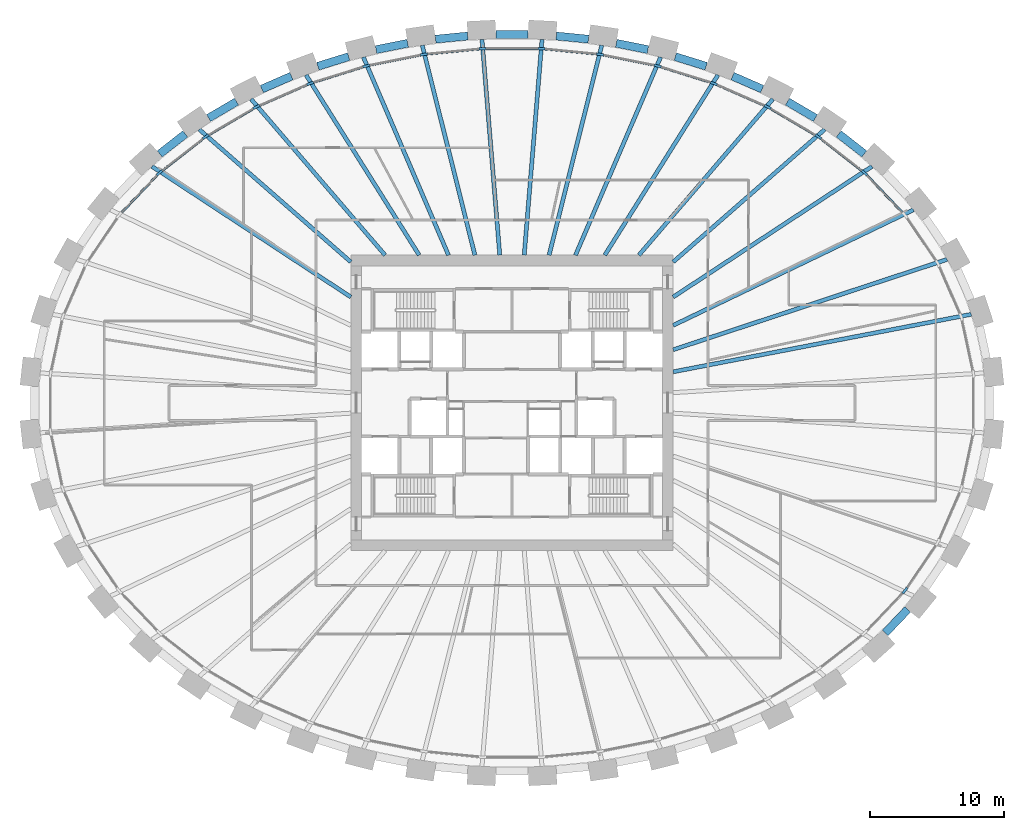
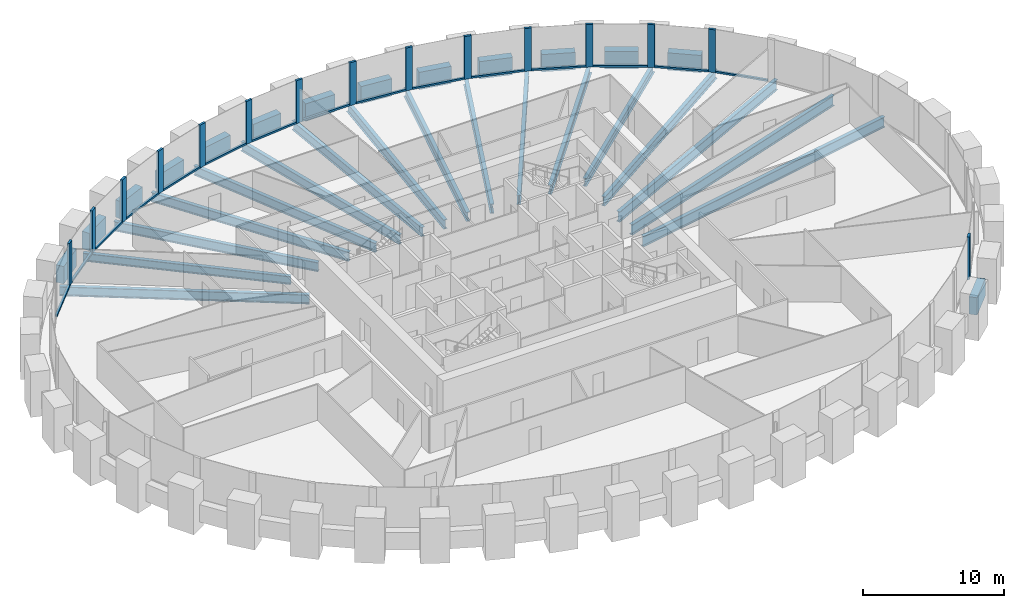
# One storey, part 3 of 11: 31 beams, 30 members, 1 element without a shape of its own.
"""IFC4 building model written with IfcOpenShell, lengths in metres."""

from ifc_helpers import new_model, si_unit, direction, frame, origin, origin_2d, place, context, subcontext, project, spatial, rectangle, i_section, extrude, source, transform, mapped, material, material_profile, profile_set, type_object, element, aggregate, save


model = new_model("IFC4")

# Units and contexts
model_context = context("Model", 3, precision=1e-05, world=origin(), true_north=direction((0.0, 1.0)))
body_context = subcontext(model_context, "Body", "Model", "MODEL_VIEW")
ifc_project = project(units=[si_unit("LENGTHUNIT", "METRE"), si_unit("AREAUNIT", "SQUARE_METRE"), si_unit("VOLUMEUNIT", "CUBIC_METRE"), si_unit("PLANEANGLEUNIT", "RADIAN"), si_unit("MASSUNIT", "GRAM", prefix="KILO")], contexts=[model_context])

# Site, building, storey
site_placement = place(None, origin())
site = spatial("IfcSite", under=ifc_project, at=site_placement, CompositionType="ELEMENT")
building_placement = place(site_placement, origin())
building = spatial("IfcBuilding", under=site, at=building_placement, Name="Embergate Tower", CompositionType="ELEMENT")
storey_placement = place(building_placement, frame((0.0, 0.0, 207.300048828125)))
storey = spatial("IfcBuildingStorey", under=building, at=storey_placement, Name="L47", CompositionType="ELEMENT", Elevation=207.300048828125)

# Beams
ifc_material_1 = material(Name="Concrete C60", Category="concrete")
ifc_material_profile_1 = material_profile(ifc_material_1, rectangle(XDim=0.60009765625, YDim=1.5, at=origin_2d()), Name="RC 600x1500")
ifc_profile_set_1 = profile_set([ifc_material_profile_1], Name="Concrete C60")
beam_type_1 = type_object("IfcBeamType", Name="Spandrel beam RC 600x1500 C60", PredefinedType="BEAM", material=ifc_profile_set_1)
shared_shape_1 = source(origin(), body_context, "Body", "SweptSolid", [
    extrude(rectangle(XDim=0.60009765625, YDim=1.5, at=origin_2d()), origin(), (0.0, 0.0, 1.0), 2.419677734375),
])
beam_1_placement = place(storey_placement, frame((27.779052734375, -17.1279296875, 0.0), z_axis=(0.69015890768, 0.723657848813, 0.0), x_axis=(-0.723657848813, 0.69015890768, 0.0)))
element("IfcBeam", 1, at=beam_1_placement, inside=storey, type_object=beam_type_1, Name="SPN-L47-39", PredefinedType="BEAM", context=body_context, shape_type="MappedRepresentation", body=[
    mapped(shared_shape_1, transform((0.0, 0.0, 0.0))),
])
shared_shape_2 = source(origin(), body_context, "Body", "SweptSolid", [
    extrude(rectangle(XDim=0.60009765625, YDim=1.5, at=origin_2d()), origin(), (0.0, 0.0, 1.0), 2.4150390625),
])
for number, where, z_axis, x_axis, name in (
    (2, (26.222900390625, 18.5380859375, 0.0), (-0.788327742651, 0.615255532415, 0.0), (-0.615255532415, -0.788327742651, 0.0), "SPN-L47-04"),
    (3, (-24.319091796875, 20.02392578125, 0.0), (-0.788327742651, -0.615255532415, 0.0), (0.615255532415, -0.788327742651, 0.0), "SPN-L47-16"),
):
    element("IfcBeam", number, at=place(storey_placement, frame(where, z_axis=z_axis, x_axis=x_axis)), inside=storey, type_object=beam_type_1, Name=name, PredefinedType="BEAM", context=body_context, shape_type="MappedRepresentation", body=[
        mapped(shared_shape_2, transform((0.0, 0.0, 0.0))),
    ])
shared_shape_3 = source(origin(), body_context, "Body", "SweptSolid", [
    extrude(rectangle(XDim=0.60009765625, YDim=1.5, at=origin_2d()), origin(), (0.0, 0.0, 1.0), 2.41015625),
])
for number, where, z_axis, x_axis, name in (
    (4, (22.58203125, 21.205078125, 0.0), (-0.862202298523, 0.506564108895, 0.0), (-0.506564108895, -0.862202298523, 0.0), "SPN-L47-05"),
    (5, (-20.50390625, 22.426025390625, 0.0), (-0.862202298523, -0.506564108895, 0.0), (0.506564108895, -0.862202298523, 0.0), "SPN-L47-15"),
):
    element("IfcBeam", number, at=place(storey_placement, frame(where, z_axis=z_axis, x_axis=x_axis)), inside=storey, type_object=beam_type_1, Name=name, PredefinedType="BEAM", context=body_context, shape_type="MappedRepresentation", body=[
        mapped(shared_shape_3, transform((0.0, 0.0, 0.0))),
    ])
shared_shape_4 = source(origin(), body_context, "Body", "SweptSolid", [
    extrude(rectangle(XDim=0.60009765625, YDim=1.5, at=origin_2d()), origin(), (0.0, 0.0, 1.0), 2.407470703125),
])
for number, where, z_axis, x_axis, name in (
    (6, (18.625, 23.363037109375, 0.0), (-0.916352733651, 0.400371911515, 0.0), (-0.400371911515, -0.916352733651, 0.0), "SPN-L47-06"),
    (7, (-16.4189453125, 24.326904296875, 0.0), (-0.916352733651, -0.400371911515, 0.0), (0.400371911515, -0.916352733651, 0.0), "SPN-L47-14"),
):
    element("IfcBeam", number, at=place(storey_placement, frame(where, z_axis=z_axis, x_axis=x_axis)), inside=storey, type_object=beam_type_1, Name=name, PredefinedType="BEAM", context=body_context, shape_type="MappedRepresentation", body=[
        mapped(shared_shape_4, transform((0.0, 0.0, 0.0))),
    ])
shared_shape_5 = source(origin(), body_context, "Body", "SweptSolid", [
    extrude(rectangle(XDim=0.60009765625, YDim=1.5, at=origin_2d()), origin(), (0.0, 0.0, 1.0), 2.404541015625),
])
for number, where, z_axis, x_axis, name in (
    (8, (14.451904296875, 25.06103515625, 0.0), (-0.954790193156, 0.297280485491, 0.0), (-0.297280485491, -0.954790193156, 0.0), "SPN-L47-07"),
    (9, (-12.156005859375, 25.77587890625, 0.0), (-0.954790193156, -0.297280485491, 0.0), (0.297280485491, -0.954790193156, 0.0), "SPN-L47-13"),
):
    element("IfcBeam", number, at=place(storey_placement, frame(where, z_axis=z_axis, x_axis=x_axis)), inside=storey, type_object=beam_type_1, Name=name, PredefinedType="BEAM", context=body_context, shape_type="MappedRepresentation", body=[
        mapped(shared_shape_5, transform((0.0, 0.0, 0.0))),
    ])
shared_shape_6 = source(origin(), body_context, "Body", "SweptSolid", [
    extrude(rectangle(XDim=0.60009765625, YDim=1.5, at=origin_2d()), origin(), (0.0, 0.0, 1.0), 2.40185546875),
])
for number, where, z_axis, x_axis, name in (
    (10, (10.12109375, 26.2958984375, 0.0), (-0.980486735487, 0.196585252585, 0.0), (-0.196585252585, -0.980486735487, 0.0), "SPN-L47-08"),
    (11, (1.200927734375, 27.416015625, 0.0), (-1.0, 0.0, 0.0), (0.0, -1.0, 0.0), "SPN-L47-10"),
    (12, (-7.76611328125, 26.76806640625, 0.0), (-0.980486735487, -0.196585252585, 0.0), (0.196585252585, -0.980486735487, 0.0), "SPN-L47-12"),
):
    element("IfcBeam", number, at=place(storey_placement, frame(where, z_axis=z_axis, x_axis=x_axis)), inside=storey, type_object=beam_type_1, Name=name, PredefinedType="BEAM", context=body_context, shape_type="MappedRepresentation", body=[
        mapped(shared_shape_6, transform((0.0, 0.0, 0.0))),
    ])
shared_shape_7 = source(origin(), body_context, "Body", "SweptSolid", [
    extrude(rectangle(XDim=0.60009765625, YDim=1.5, at=origin_2d()), origin(), (0.0, 0.0, 1.0), 2.4013671875),
])
for number, where, z_axis, x_axis, name in (
    (13, (5.68896484375, 27.077880859375, 0.0), (-0.995195949519, 0.097903125895, 0.0), (-0.097903125895, -0.995195949519, 0.0), "SPN-L47-09"),
    (14, (-3.299072265625, 27.31298828125, 0.0), (-0.995195949519, -0.097903125895, 0.0), (0.097903125895, -0.995195949519, 0.0), "SPN-L47-11"),
):
    element("IfcBeam", number, at=place(storey_placement, frame(where, z_axis=z_axis, x_axis=x_axis)), inside=storey, type_object=beam_type_1, Name=name, PredefinedType="BEAM", context=body_context, shape_type="MappedRepresentation", body=[
        mapped(shared_shape_7, transform((0.0, 0.0, 0.0))),
    ])
ifc_material_2 = material(Name="Steel Q355B", Category="steel")
ifc_material_profile_2 = material_profile(ifc_material_2, i_section(OverallWidth=0.300048828125, OverallDepth=0.89990234375, WebThickness=0.01611328125, FlangeThickness=0.028076171875, FilletRadius=0.028076171875, at=origin_2d()), Name="HN 900x300x16x28")
ifc_profile_set_2 = profile_set([ifc_material_profile_2], Name="Steel Q355 grade B")
beam_type_2 = type_object("IfcBeamType", Name="Radial girder HN 900x300x16x28", PredefinedType="BEAM", material=ifc_profile_set_2)
shared_shape_8 = source(origin(), body_context, "Body", "SweptSolid", [
    extrude(i_section(OverallWidth=0.300048828125, OverallDepth=0.89990234375, WebThickness=0.01611328125, FlangeThickness=0.028076171875, FilletRadius=0.028076171875, at=origin_2d()), origin(), (0.0, 0.0, 1.0), 22.592041015625),
])
beam_2_placement = place(storey_placement, frame((34.18310546875, 6.593994140625, -0.650146484375), z_axis=(-0.98189899441, -0.189405292367, 0.0), x_axis=(0.189405292367, -0.98189899441, 0.0)))
element("IfcBeam", 15, at=beam_2_placement, inside=storey, type_object=beam_type_2, Name="GIR-L47-01", PredefinedType="BEAM", context=body_context, shape_type="MappedRepresentation", body=[
    mapped(shared_shape_8, transform((0.0, 0.0, 0.0))),
])
shared_shape_9 = source(origin(), body_context, "Body", "SweptSolid", [
    extrude(i_section(OverallWidth=0.300048828125, OverallDepth=0.89990234375, WebThickness=0.01611328125, FlangeThickness=0.028076171875, FilletRadius=0.028076171875, at=origin_2d()), origin(), (0.0, 0.0, 1.0), 21.47119140625),
])
beam_3_placement = place(storey_placement, frame((32.39111328125, 10.681884765625, -0.650146484375), z_axis=(-0.949700564112, -0.313159445849, 0.0), x_axis=(0.313159445849, -0.949700564112, 0.0)))
element("IfcBeam", 16, at=beam_3_placement, inside=storey, type_object=beam_type_2, Name="GIR-L47-02", PredefinedType="BEAM", context=body_context, shape_type="MappedRepresentation", body=[
    mapped(shared_shape_9, transform((0.0, 0.0, 0.0))),
])
shared_shape_10 = source(origin(), body_context, "Body", "SweptSolid", [
    extrude(i_section(OverallWidth=0.300048828125, OverallDepth=0.89990234375, WebThickness=0.01611328125, FlangeThickness=0.028076171875, FilletRadius=0.028076171875, at=origin_2d()), origin(), (0.0, 0.0, 1.0), 19.841064453125),
])
beam_4_placement = place(storey_placement, frame((29.8798828125, 14.3740234375, -0.650146484375), z_axis=(-0.901154450988, -0.433498160854, 0.0), x_axis=(0.433498160854, -0.901154450988, 0.0)))
element("IfcBeam", 17, at=beam_4_placement, inside=storey, type_object=beam_type_2, Name="GIR-L47-03", PredefinedType="BEAM", context=body_context, shape_type="MappedRepresentation", body=[
    mapped(shared_shape_10, transform((0.0, 0.0, 0.0))),
])
ifc_material_profile_3 = material_profile(ifc_material_2, i_section(OverallWidth=0.300048828125, OverallDepth=0.800048828125, WebThickness=0.013916015625, FlangeThickness=0.02587890625, FilletRadius=0.028076171875, at=origin_2d()), Name="HN 800x300x14x26")
ifc_profile_set_3 = profile_set([ifc_material_profile_3], Name="Steel Q355 grade B")
beam_type_3 = type_object("IfcBeamType", Name="Radial girder HN 800x300x14x26", PredefinedType="BEAM", material=ifc_profile_set_3)
shared_shape_11 = source(origin(), body_context, "Body", "SweptSolid", [
    extrude(i_section(OverallWidth=0.300048828125, OverallDepth=0.800048828125, WebThickness=0.013916015625, FlangeThickness=0.02587890625, FilletRadius=0.028076171875, at=origin_2d()), origin(), (0.0, 0.0, 1.0), 17.70654296875),
])
for number, where, z_axis, x_axis, name in (
    (18, (26.798095703125, 17.60693359375, -0.60009765625), (-0.835745977406, -0.549116254767, 0.0), (0.549116254767, -0.835745977406, 0.0), "GIR-L47-04"),
    (19, (-26.798095703125, 17.60693359375, -0.60009765625), (0.835745977406, -0.549116254767, 0.0), (0.549116254767, 0.835745977406, 0.0), "GIR-L47-17"),
):
    element("IfcBeam", number, at=place(storey_placement, frame(where, z_axis=z_axis, x_axis=x_axis)), inside=storey, type_object=beam_type_3, Name=name, PredefinedType="BEAM", context=body_context, shape_type="MappedRepresentation", body=[
        mapped(shared_shape_11, transform((0.0, 0.0, 0.0))),
    ])
ifc_material_profile_4 = material_profile(ifc_material_2, i_section(OverallWidth=0.300048828125, OverallDepth=0.699951171875, WebThickness=0.012939453125, FlangeThickness=0.02392578125, FilletRadius=0.01806640625, at=origin_2d()), Name="HN 700x300x13x24")
ifc_profile_set_4 = profile_set([ifc_material_profile_4], Name="Steel Q355 grade B")
beam_type_4 = type_object("IfcBeamType", Name="Radial girder HN 700x300x13x24", PredefinedType="BEAM", material=ifc_profile_set_4)
shared_shape_12 = source(origin(), body_context, "Body", "SweptSolid", [
    extrude(i_section(OverallWidth=0.300048828125, OverallDepth=0.699951171875, WebThickness=0.012939453125, FlangeThickness=0.02392578125, FilletRadius=0.01806640625, at=origin_2d()), origin(), (0.0, 0.0, 1.0), 14.9794921875),
])
for number, where, z_axis, x_axis, name in (
    (20, (23.27587890625, 20.35595703125, -0.550048828125), (-0.752760419663, -0.658294577365, 0.0), (0.658294577365, -0.752760419663, 0.0), "GIR-L47-05"),
    (21, (-23.27587890625, 20.35595703125, -0.550048828125), (0.752760419663, -0.658294577365, 0.0), (0.658294577365, 0.752760419663, 0.0), "GIR-L47-16"),
):
    element("IfcBeam", number, at=place(storey_placement, frame(where, z_axis=z_axis, x_axis=x_axis)), inside=storey, type_object=beam_type_4, Name=name, PredefinedType="BEAM", context=body_context, shape_type="MappedRepresentation", body=[
        mapped(shared_shape_12, transform((0.0, 0.0, 0.0))),
    ])
shared_shape_13 = source(origin(), body_context, "Body", "SweptSolid", [
    extrude(i_section(OverallWidth=0.300048828125, OverallDepth=0.800048828125, WebThickness=0.013916015625, FlangeThickness=0.02587890625, FilletRadius=0.028076171875, at=origin_2d()), origin(), (0.0, 0.0, 1.0), 15.31689453125),
])
for number, where, z_axis, x_axis, name in (
    (22, (19.425048828125, 22.6201171875, -0.60009765625), (-0.651502542644, -0.758646450548, 0.0), (0.758646450548, -0.651502542644, 0.0), "GIR-L47-06"),
    (23, (-19.425048828125, 22.6201171875, -0.60009765625), (0.651502542644, -0.758646450548, 0.0), (0.758646450548, 0.651502542644, 0.0), "GIR-L47-15"),
):
    element("IfcBeam", number, at=place(storey_placement, frame(where, z_axis=z_axis, x_axis=x_axis)), inside=storey, type_object=beam_type_3, Name=name, PredefinedType="BEAM", context=body_context, shape_type="MappedRepresentation", body=[
        mapped(shared_shape_13, transform((0.0, 0.0, 0.0))),
    ])
shared_shape_14 = source(origin(), body_context, "Body", "SweptSolid", [
    extrude(i_section(OverallWidth=0.300048828125, OverallDepth=0.800048828125, WebThickness=0.013916015625, FlangeThickness=0.02587890625, FilletRadius=0.028076171875, at=origin_2d()), origin(), (0.0, 0.0, 1.0), 15.836181640625),
])
for number, where, z_axis, x_axis, name in (
    (24, (15.330078125, 24.410888671875, -0.60009765625), (-0.531828302788, -0.846852204552, 0.0), (0.846852204552, -0.531828302788, 0.0), "GIR-L47-07"),
    (25, (-15.330078125, 24.410888671875, -0.60009765625), (0.531828302788, -0.846852204552, 0.0), (0.846852204552, 0.531828302788, 0.0), "GIR-L47-14"),
):
    element("IfcBeam", number, at=place(storey_placement, frame(where, z_axis=z_axis, x_axis=x_axis)), inside=storey, type_object=beam_type_3, Name=name, PredefinedType="BEAM", context=body_context, shape_type="MappedRepresentation", body=[
        mapped(shared_shape_14, transform((0.0, 0.0, 0.0))),
    ])
shared_shape_15 = source(origin(), body_context, "Body", "SweptSolid", [
    extrude(i_section(OverallWidth=0.300048828125, OverallDepth=0.800048828125, WebThickness=0.013916015625, FlangeThickness=0.02587890625, FilletRadius=0.028076171875, at=origin_2d()), origin(), (0.0, 0.0, 1.0), 16.043701171875),
])
for number, where, z_axis, x_axis, name in (
    (26, (11.06298828125, 25.739990234375, -0.60009765625), (-0.394857578675, -0.918742342859, 0.0), (0.918742342859, -0.394857578675, 0.0), "GIR-L47-08"),
    (27, (-11.06298828125, 25.739990234375, -0.60009765625), (0.394857578675, -0.918742342859, 0.0), (0.918742342859, 0.394857578675, 0.0), "GIR-L47-13"),
):
    element("IfcBeam", number, at=place(storey_placement, frame(where, z_axis=z_axis, x_axis=x_axis)), inside=storey, type_object=beam_type_3, Name=name, PredefinedType="BEAM", context=body_context, shape_type="MappedRepresentation", body=[
        mapped(shared_shape_15, transform((0.0, 0.0, 0.0))),
    ])
shared_shape_16 = source(origin(), body_context, "Body", "SweptSolid", [
    extrude(i_section(OverallWidth=0.300048828125, OverallDepth=0.800048828125, WebThickness=0.013916015625, FlangeThickness=0.02587890625, FilletRadius=0.028076171875, at=origin_2d()), origin(), (0.0, 0.0, 1.0), 16.103515625),
])
for number, where, z_axis, x_axis, name in (
    (28, (6.681884765625, 26.618896484375, -0.60009765625), (-0.243480824062, -0.969905711043, 0.0), (0.969905711043, -0.243480824062, 0.0), "GIR-L47-09"),
    (29, (-6.681884765625, 26.618896484375, -0.60009765625), (0.243480824062, -0.969905711043, 0.0), (0.969905711043, 0.243480824062, 0.0), "GIR-L47-12"),
):
    element("IfcBeam", number, at=place(storey_placement, frame(where, z_axis=z_axis, x_axis=x_axis)), inside=storey, type_object=beam_type_3, Name=name, PredefinedType="BEAM", context=body_context, shape_type="MappedRepresentation", body=[
        mapped(shared_shape_16, transform((0.0, 0.0, 0.0))),
    ])
shared_shape_17 = source(origin(), body_context, "Body", "SweptSolid", [
    extrude(i_section(OverallWidth=0.300048828125, OverallDepth=0.800048828125, WebThickness=0.013916015625, FlangeThickness=0.02587890625, FilletRadius=0.028076171875, at=origin_2d()), origin(), (0.0, 0.0, 1.0), 16.110595703125),
])
for number, where, z_axis, x_axis, name in (
    (30, (2.235107421875, 27.055908203125, -0.60009765625), (-0.082316809043, -0.996606212578, 0.0), (0.996606212578, -0.082316809043, 0.0), "GIR-L47-10"),
    (31, (-2.235107421875, 27.055908203125, -0.60009765625), (0.082316809043, -0.996606212578, 0.0), (0.996606212578, 0.082316809043, 0.0), "GIR-L47-11"),
):
    element("IfcBeam", number, at=place(storey_placement, frame(where, z_axis=z_axis, x_axis=x_axis)), inside=storey, type_object=beam_type_3, Name=name, PredefinedType="BEAM", context=body_context, shape_type="MappedRepresentation", body=[
        mapped(shared_shape_17, transform((0.0, 0.0, 0.0))),
    ])

# Curtain wall, members
ifc_material_3 = material(Name="Aluminium and glass", Category="aluminium")
curtain_wall_type = type_object("IfcCurtainWallType", Name="Recessed office glazing", PredefinedType="NOTDEFINED", material=ifc_material_3)
curtain_wall_placement = place(storey_placement, origin())
curtain_wall = element("IfcCurtainWall", 32, at=curtain_wall_placement, inside=storey, type_object=curtain_wall_type, Name="Recessed office glazing ring", ObjectType="RECESSED OFFICE GLAZING", PredefinedType="USERDEFINED")
ifc_material_4 = material(Name="Aluminium, thermally broken", Category="aluminium")
ifc_material_profile_5 = material_profile(ifc_material_4, rectangle(XDim=0.179931640625, YDim=0.52001953125, at=origin_2d()), Name="AL 520x180")
ifc_profile_set_5 = profile_set([ifc_material_profile_5], Name="Aluminium, thermally broken")
member_type_1 = type_object("IfcMemberType", Name="Office mullion", PredefinedType="MULLION", material=ifc_profile_set_5)
shared_shape_18 = source(origin(), body_context, "Body", "SweptSolid", [
    extrude(rectangle(XDim=0.179931640625, YDim=0.52001953125, at=origin_2d()), origin(), (0.0, 0.0, 1.0), 3.699951171875),
])
member_1_placement = place(storey_placement, frame((26.245361328125, 17.125732421875, 0.0), z_axis=(0.0, 0.0, 1.0), x_axis=(-0.671230415135, -0.741248763775, 0.0)))
member_1 = element("IfcMember", 33, at=member_1_placement, type_object=member_type_1, Name="CW mullion 5", PredefinedType="MULLION", context=body_context, shape_type="MappedRepresentation", body=[
    mapped(shared_shape_18, transform((0.0, 0.0, 0.0))),
])
member_2_placement = place(storey_placement, frame((22.804443359375, 19.811279296875, 0.0), z_axis=(0.0, 0.0, 1.0), x_axis=(-0.562220505278, -0.826987365953, 0.0)))
member_2 = element("IfcMember", 34, at=member_2_placement, type_object=member_type_1, Name="CW mullion 6", PredefinedType="MULLION", context=body_context, shape_type="MappedRepresentation", body=[
    mapped(shared_shape_18, transform((0.0, 0.0, 0.0))),
])
member_3_placement = place(storey_placement, frame((19.03662109375, 22.026611328125, 0.0), z_axis=(0.0, 0.0, 1.0), x_axis=(-0.454514489796, -0.890739343784, 0.0)))
member_3 = element("IfcMember", 35, at=member_3_placement, type_object=member_type_1, Name="CW mullion 7", PredefinedType="MULLION", context=body_context, shape_type="MappedRepresentation", body=[
    mapped(shared_shape_18, transform((0.0, 0.0, 0.0))),
])
member_4_placement = place(storey_placement, frame((15.02783203125, 23.779296875, 0.0), z_axis=(0.0, 0.0, 1.0), x_axis=(-0.34950595337, -0.936934143128, 0.0)))
member_4 = element("IfcMember", 36, at=member_4_placement, type_object=member_type_1, Name="CW mullion 8", PredefinedType="MULLION", context=body_context, shape_type="MappedRepresentation", body=[
    mapped(shared_shape_18, transform((0.0, 0.0, 0.0))),
])
member_5_placement = place(storey_placement, frame((10.847412109375, 25.081298828125, 0.0), z_axis=(0.0, 0.0, 1.0), x_axis=(-0.247315263593, -0.968935065107, 0.0)))
member_5 = element("IfcMember", 37, at=member_5_placement, type_object=member_type_1, Name="CW mullion 9", PredefinedType="MULLION", context=body_context, shape_type="MappedRepresentation", body=[
    mapped(shared_shape_18, transform((0.0, 0.0, 0.0))),
])
member_6_placement = place(storey_placement, frame((6.55224609375, 25.94287109375, 0.0), z_axis=(0.0, 0.0, 1.0), x_axis=(-0.14741410908, -0.98907486089, 0.0)))
member_6 = element("IfcMember", 38, at=member_6_placement, type_object=member_type_1, Name="CW mullion 10", PredefinedType="MULLION", context=body_context, shape_type="MappedRepresentation", body=[
    mapped(shared_shape_18, transform((0.0, 0.0, 0.0))),
])
member_7_placement = place(storey_placement, frame((2.191162109375, 26.37158203125, 0.0), z_axis=(0.0, 0.0, 1.0), x_axis=(-0.048971796621, -0.998800161762, 0.0)))
member_7 = element("IfcMember", 39, at=member_7_placement, type_object=member_type_1, Name="CW mullion 11", PredefinedType="MULLION", context=body_context, shape_type="MappedRepresentation", body=[
    mapped(shared_shape_18, transform((0.0, 0.0, 0.0))),
])
member_8_placement = place(storey_placement, frame((-2.191162109375, 26.37158203125, 0.0), z_axis=(0.0, 0.0, 1.0), x_axis=(0.048971796621, -0.998800161762, 0.0)))
member_8 = element("IfcMember", 40, at=member_8_placement, type_object=member_type_1, Name="CW mullion 12", PredefinedType="MULLION", context=body_context, shape_type="MappedRepresentation", body=[
    mapped(shared_shape_18, transform((0.0, 0.0, 0.0))),
])
member_9_placement = place(storey_placement, frame((-6.55224609375, 25.94287109375, 0.0), z_axis=(0.0, 0.0, 1.0), x_axis=(0.14741410908, -0.98907486089, 0.0)))
member_9 = element("IfcMember", 41, at=member_9_placement, type_object=member_type_1, Name="CW mullion 13", PredefinedType="MULLION", context=body_context, shape_type="MappedRepresentation", body=[
    mapped(shared_shape_18, transform((0.0, 0.0, 0.0))),
])
member_10_placement = place(storey_placement, frame((-10.847412109375, 25.081298828125, 0.0), z_axis=(0.0, 0.0, 1.0), x_axis=(0.247315263593, -0.968935065107, 0.0)))
member_10 = element("IfcMember", 42, at=member_10_placement, type_object=member_type_1, Name="CW mullion 14", PredefinedType="MULLION", context=body_context, shape_type="MappedRepresentation", body=[
    mapped(shared_shape_18, transform((0.0, 0.0, 0.0))),
])
member_11_placement = place(storey_placement, frame((-15.02783203125, 23.779296875, 0.0), z_axis=(0.0, 0.0, 1.0), x_axis=(0.34950595337, -0.936934143128, 0.0)))
member_11 = element("IfcMember", 43, at=member_11_placement, type_object=member_type_1, Name="CW mullion 15", PredefinedType="MULLION", context=body_context, shape_type="MappedRepresentation", body=[
    mapped(shared_shape_18, transform((0.0, 0.0, 0.0))),
])
member_12_placement = place(storey_placement, frame((-19.03662109375, 22.026611328125, 0.0), z_axis=(0.0, 0.0, 1.0), x_axis=(0.454514489796, -0.890739343784, 0.0)))
member_12 = element("IfcMember", 44, at=member_12_placement, type_object=member_type_1, Name="CW mullion 16", PredefinedType="MULLION", context=body_context, shape_type="MappedRepresentation", body=[
    mapped(shared_shape_18, transform((0.0, 0.0, 0.0))),
])
member_13_placement = place(storey_placement, frame((-22.804443359375, 19.811279296875, 0.0), z_axis=(0.0, 0.0, 1.0), x_axis=(0.562220505278, -0.826987365953, 0.0)))
member_13 = element("IfcMember", 45, at=member_13_placement, type_object=member_type_1, Name="CW mullion 17", PredefinedType="MULLION", context=body_context, shape_type="MappedRepresentation", body=[
    mapped(shared_shape_18, transform((0.0, 0.0, 0.0))),
])
member_14_placement = place(storey_placement, frame((-26.245361328125, 17.125732421875, 0.0), z_axis=(0.0, 0.0, 1.0), x_axis=(0.671230415135, -0.741248763775, 0.0)))
member_14 = element("IfcMember", 46, at=member_14_placement, type_object=member_type_1, Name="CW mullion 18", PredefinedType="MULLION", context=body_context, shape_type="MappedRepresentation", body=[
    mapped(shared_shape_18, transform((0.0, 0.0, 0.0))),
])
member_15_placement = place(storey_placement, frame((29.25244140625, -13.972412109375, 0.0), z_axis=(0.0, 0.0, 1.0), x_axis=(-0.777874757957, 0.628419335264, 0.0)))
member_15 = element("IfcMember", 47, at=member_15_placement, type_object=member_type_1, Name="CW mullion 41", PredefinedType="MULLION", context=body_context, shape_type="MappedRepresentation", body=[
    mapped(shared_shape_18, transform((0.0, 0.0, 0.0))),
])
ifc_material_profile_6 = material_profile(ifc_material_4, rectangle(XDim=0.179931640625, YDim=0.14990234375, at=origin_2d()), Name="AL 150x180")
ifc_profile_set_6 = profile_set([ifc_material_profile_6], Name="Aluminium, thermally broken")
member_type_2 = type_object("IfcMemberType", Name="Office sill transom", PredefinedType="USERDEFINED", material=ifc_profile_set_6)
shared_shape_19 = source(origin(), body_context, "Body", "SweptSolid", [
    extrude(rectangle(XDim=0.179931640625, YDim=0.14990234375, at=origin_2d()), origin(), (0.0, 0.0, 1.0), 3.83740234375),
])
member_16_placement = place(storey_placement, frame((29.072998046875, 14.160400390625, 0.074951171875), z_axis=(-0.690110982846, 0.723703552123, 0.0), x_axis=(-0.723703552123, -0.690110982846, 0.0)))
member_16 = element("IfcMember", 48, at=member_16_placement, type_object=member_type_2, Name="CW transom 4.1", ObjectType="TRANSOM", PredefinedType="USERDEFINED", context=body_context, shape_type="MappedRepresentation", body=[
    mapped(shared_shape_19, transform((0.0, 0.0, 0.0))),
])
member_17_placement = place(storey_placement, frame((-26.4248046875, 16.9375, 0.074951171875), z_axis=(-0.690110982846, -0.723703552123, 0.0), x_axis=(0.723703552123, -0.690110982846, 0.0)))
member_17 = element("IfcMember", 49, at=member_17_placement, type_object=member_type_2, Name="CW transom 18.1", ObjectType="TRANSOM", PredefinedType="USERDEFINED", context=body_context, shape_type="MappedRepresentation", body=[
    mapped(shared_shape_19, transform((0.0, 0.0, 0.0))),
])
shared_shape_20 = source(origin(), body_context, "Body", "SweptSolid", [
    extrude(rectangle(XDim=0.179931640625, YDim=0.14990234375, at=origin_2d()), origin(), (0.0, 0.0, 1.0), 3.8447265625),
])
member_18_placement = place(storey_placement, frame((26.040283203125, 17.28564453125, 0.074951171875), z_axis=(-0.788284232177, 0.615311278379, 0.0), x_axis=(-0.615311278379, -0.788284232177, 0.0)))
member_18 = element("IfcMember", 50, at=member_18_placement, type_object=member_type_2, Name="CW transom 5.1", ObjectType="TRANSOM", PredefinedType="USERDEFINED", context=body_context, shape_type="MappedRepresentation", body=[
    mapped(shared_shape_20, transform((0.0, 0.0, 0.0))),
])
member_19_placement = place(storey_placement, frame((-23.009521484375, 19.6513671875, 0.074951171875), z_axis=(-0.788284232177, -0.615311278379, 0.0), x_axis=(0.615311278379, -0.788284232177, 0.0)))
member_19 = element("IfcMember", 51, at=member_19_placement, type_object=member_type_2, Name="CW transom 17.1", ObjectType="TRANSOM", PredefinedType="USERDEFINED", context=body_context, shape_type="MappedRepresentation", body=[
    mapped(shared_shape_20, transform((0.0, 0.0, 0.0))),
])
shared_shape_21 = source(origin(), body_context, "Body", "SweptSolid", [
    extrude(rectangle(XDim=0.179931640625, YDim=0.14990234375, at=origin_2d()), origin(), (0.0, 0.0, 1.0), 3.850830078125),
])
member_20_placement = place(storey_placement, frame((22.580322265625, 19.943115234375, 0.074951171875), z_axis=(-0.862051539353, 0.506820622607, 0.0), x_axis=(-0.506820622607, -0.862051539353, 0.0)))
member_20 = element("IfcMember", 52, at=member_20_placement, type_object=member_type_2, Name="CW transom 6.1", ObjectType="TRANSOM", PredefinedType="USERDEFINED", context=body_context, shape_type="MappedRepresentation", body=[
    mapped(shared_shape_21, transform((0.0, 0.0, 0.0))),
])
member_21_placement = place(storey_placement, frame((-19.2607421875, 21.894775390625, 0.074951171875), z_axis=(-0.862051539353, -0.506820622607, 0.0), x_axis=(0.506820622607, -0.862051539353, 0.0)))
member_21 = element("IfcMember", 53, at=member_21_placement, type_object=member_type_2, Name="CW transom 16.1", ObjectType="TRANSOM", PredefinedType="USERDEFINED", context=body_context, shape_type="MappedRepresentation", body=[
    mapped(shared_shape_21, transform((0.0, 0.0, 0.0))),
])
shared_shape_22 = source(origin(), body_context, "Body", "SweptSolid", [
    extrude(rectangle(XDim=0.179931640625, YDim=0.14990234375, at=origin_2d()), origin(), (0.0, 0.0, 1.0), 3.855224609375),
])
member_22_placement = place(storey_placement, frame((18.79833984375, 22.130615234375, 0.074951171875), z_axis=(-0.916221273565, 0.400672656749, 0.0), x_axis=(-0.400672656749, -0.916221273565, 0.0)))
member_22 = element("IfcMember", 54, at=member_22_placement, type_object=member_type_2, Name="CW transom 7.1", ObjectType="TRANSOM", PredefinedType="USERDEFINED", context=body_context, shape_type="MappedRepresentation", body=[
    mapped(shared_shape_22, transform((0.0, 0.0, 0.0))),
])
member_23_placement = place(storey_placement, frame((-15.26611328125, 23.67529296875, 0.074951171875), z_axis=(-0.916221273565, -0.400672656749, 0.0), x_axis=(0.400672656749, -0.916221273565, 0.0)))
member_23 = element("IfcMember", 55, at=member_23_placement, type_object=member_type_2, Name="CW transom 15.1", ObjectType="TRANSOM", PredefinedType="USERDEFINED", context=body_context, shape_type="MappedRepresentation", body=[
    mapped(shared_shape_22, transform((0.0, 0.0, 0.0))),
])
shared_shape_23 = source(origin(), body_context, "Body", "SweptSolid", [
    extrude(rectangle(XDim=0.179931640625, YDim=0.14990234375, at=origin_2d()), origin(), (0.0, 0.0, 1.0), 3.8583984375),
])
member_24_placement = place(storey_placement, frame((14.779541015625, 23.856689453125, 0.074951171875), z_axis=(-0.954755412544, 0.297392169061, 0.0), x_axis=(-0.297392169061, -0.954755412544, 0.0)))
member_24 = element("IfcMember", 56, at=member_24_placement, type_object=member_type_2, Name="CW transom 8.1", ObjectType="TRANSOM", PredefinedType="USERDEFINED", context=body_context, shape_type="MappedRepresentation", body=[
    mapped(shared_shape_23, transform((0.0, 0.0, 0.0))),
])
member_25_placement = place(storey_placement, frame((-11.095703125, 25.004150390625, 0.074951171875), z_axis=(-0.954755412544, -0.297392169061, 0.0), x_axis=(0.297392169061, -0.954755412544, 0.0)))
member_25 = element("IfcMember", 57, at=member_25_placement, type_object=member_type_2, Name="CW transom 14.1", ObjectType="TRANSOM", PredefinedType="USERDEFINED", context=body_context, shape_type="MappedRepresentation", body=[
    mapped(shared_shape_23, transform((0.0, 0.0, 0.0))),
])
shared_shape_24 = source(origin(), body_context, "Body", "SweptSolid", [
    extrude(rectangle(XDim=0.179931640625, YDim=0.14990234375, at=origin_2d()), origin(), (0.0, 0.0, 1.0), 3.860595703125),
])
member_26_placement = place(storey_placement, frame((10.59228515625, 25.132568359375, 0.074951171875), z_axis=(-0.980480823499, 0.196614736859, 0.0), x_axis=(-0.196614736859, -0.980480823499, 0.0)))
member_26 = element("IfcMember", 58, at=member_26_placement, type_object=member_type_2, Name="CW transom 9.1", ObjectType="TRANSOM", PredefinedType="USERDEFINED", context=body_context, shape_type="MappedRepresentation", body=[
    mapped(shared_shape_24, transform((0.0, 0.0, 0.0))),
])
member_27_placement = place(storey_placement, frame((-6.80712890625, 25.8916015625, 0.074951171875), z_axis=(-0.980480823499, -0.196614736859, 0.0), x_axis=(0.196614736859, -0.980480823499, 0.0)))
member_27 = element("IfcMember", 59, at=member_27_placement, type_object=member_type_2, Name="CW transom 13.1", ObjectType="TRANSOM", PredefinedType="USERDEFINED", context=body_context, shape_type="MappedRepresentation", body=[
    mapped(shared_shape_24, transform((0.0, 0.0, 0.0))),
])
shared_shape_25 = source(origin(), body_context, "Body", "SweptSolid", [
    extrude(rectangle(XDim=0.179931640625, YDim=0.14990234375, at=origin_2d()), origin(), (0.0, 0.0, 1.0), 3.862060546875),
])
member_28_placement = place(storey_placement, frame((6.29345703125, 25.96826171875, 0.074951171875), z_axis=(-0.995200439085, 0.097857478225, 0.0), x_axis=(-0.097857478225, -0.995200439085, 0.0)))
member_28 = element("IfcMember", 60, at=member_28_placement, type_object=member_type_2, Name="CW transom 10.1", ObjectType="TRANSOM", PredefinedType="USERDEFINED", context=body_context, shape_type="MappedRepresentation", body=[
    mapped(shared_shape_25, transform((0.0, 0.0, 0.0))),
])
member_29_placement = place(storey_placement, frame((-2.449951171875, 26.34619140625, 0.074951171875), z_axis=(-0.995200439085, -0.097857478225, 0.0), x_axis=(0.097857478225, -0.995200439085, 0.0)))
member_29 = element("IfcMember", 61, at=member_29_placement, type_object=member_type_2, Name="CW transom 12.1", ObjectType="TRANSOM", PredefinedType="USERDEFINED", context=body_context, shape_type="MappedRepresentation", body=[
    mapped(shared_shape_25, transform((0.0, 0.0, 0.0))),
])
shared_shape_26 = source(origin(), body_context, "Body", "SweptSolid", [
    extrude(rectangle(XDim=0.179931640625, YDim=0.14990234375, at=origin_2d()), origin(), (0.0, 0.0, 1.0), 3.8623046875),
])
member_30_placement = place(storey_placement, frame((1.93115234375, 26.37158203125, 0.074951171875), z_axis=(-1.0, 0.0, 0.0), x_axis=(0.0, -1.0, 0.0)))
member_30 = element("IfcMember", 62, at=member_30_placement, type_object=member_type_2, Name="CW transom 11.1", ObjectType="TRANSOM", PredefinedType="USERDEFINED", context=body_context, shape_type="MappedRepresentation", body=[
    mapped(shared_shape_26, transform((0.0, 0.0, 0.0))),
])
aggregate(curtain_wall, [member_1, member_2, member_3, member_4, member_5, member_6, member_7, member_8, member_9, member_10, member_11, member_12, member_13, member_14, member_15, member_16, member_18, member_20, member_22, member_24, member_26, member_28, member_30, member_29, member_27, member_25, member_23, member_21, member_19, member_17])

save(model, "model.ifc")
